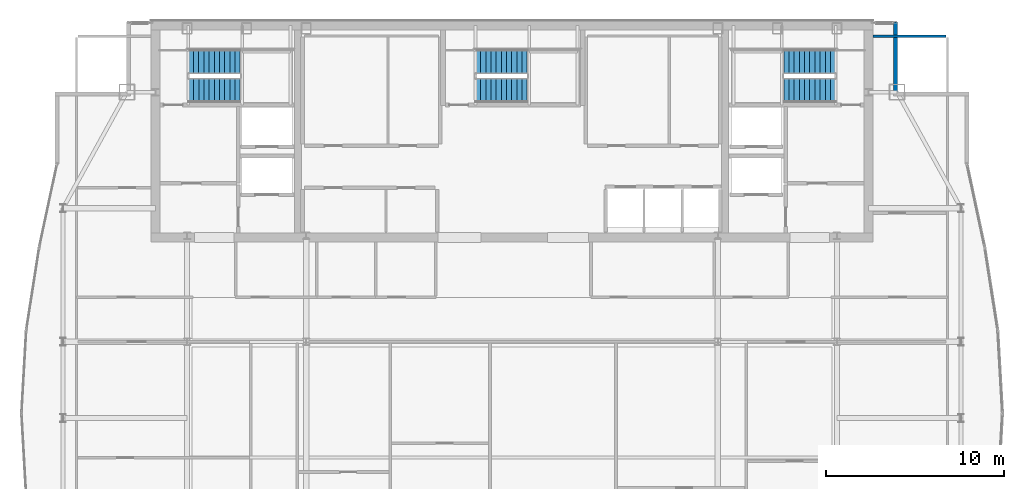
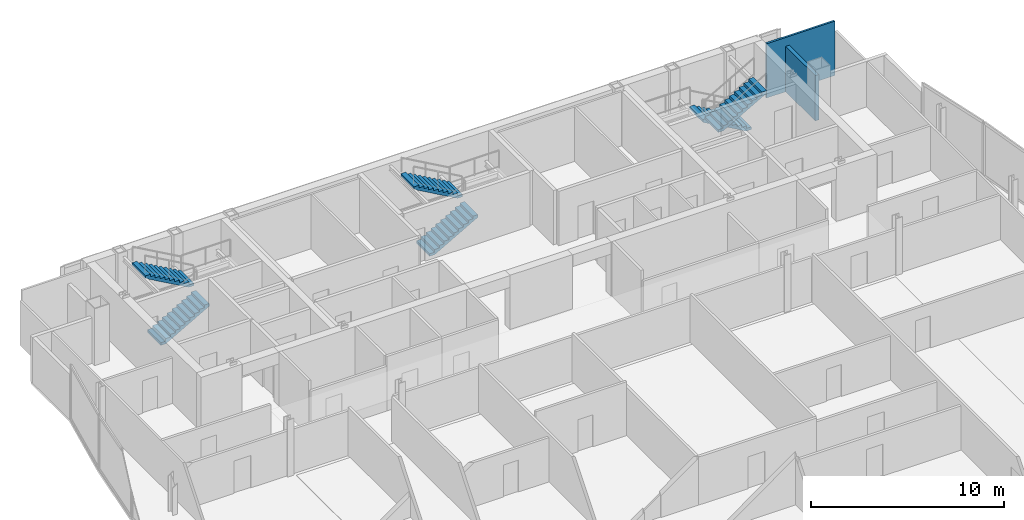
# One storey, part 27 of 29: 6 stair flights, 2 walls, 3 elements without a shape of their own.
"""IFC4 building model written with IfcOpenShell, lengths in metres."""

from ifc_helpers import new_model, si_unit, direction, frame, frame_2d, origin, place, context, subcontext, project, spatial, polyline, rectangle, outline, extrude, material, layer, layer_set, type_object, element, aggregate, save


model = new_model("IFC4")

# Units and contexts
model_context = context("Model", 3, precision=1e-05, world=origin(), true_north=direction((0.0, 1.0)))
body_context = subcontext(model_context, "Body", "Model", "MODEL_VIEW")
ifc_project = project(units=[si_unit("LENGTHUNIT", "METRE"), si_unit("AREAUNIT", "SQUARE_METRE"), si_unit("VOLUMEUNIT", "CUBIC_METRE"), si_unit("PLANEANGLEUNIT", "RADIAN"), si_unit("MASSUNIT", "GRAM", prefix="KILO")], contexts=[model_context])

# Site, building, storey
site_placement = place(None, origin())
site = spatial("IfcSite", under=ifc_project, at=site_placement, CompositionType="ELEMENT")
building_placement = place(site_placement, origin())
building = spatial("IfcBuilding", under=site, at=building_placement, Name="Khoronbel Lancet Exchange", CompositionType="ELEMENT")
storey_placement = place(building_placement, frame((0.0, 0.0, 329.0)))
storey = spatial("IfcBuildingStorey", under=building, at=storey_placement, Name="L85", CompositionType="ELEMENT", Elevation=329.0)

# Walls
ifc_material_1 = material(Name="Precast concrete C40/50", Category="concrete")
ifc_layer_1 = layer(ifc_material_1, 0.25, Name="Precast concrete C40/50")
ifc_layer_set_1 = layer_set([ifc_layer_1], Name="Precast concrete C40/50")
wall_type_1 = type_object("IfcWallType", Name="WL-EXT250", PredefinedType="SOLIDWALL", material=ifc_layer_set_1)
wall_1_placement = place(storey_placement, frame((57.9599609375, 53.6298828125, 0.0), z_axis=(0.0, 0.0, 1.0), x_axis=(0.0, -1.0, 0.0)))
element("IfcWall", 1, at=wall_1_placement, inside=storey, type_object=wall_type_1, Name="Level L85 notched-corner limestone pier 14", PredefinedType="SOLIDWALL", context=body_context, shape_type="SweptSolid", body=[
    extrude(rectangle(XDim=3.909912109375, YDim=0.219970703125, at=frame_2d((1.955078125, 0.0))), origin(), (0.0, 0.0, 1.0), 2.8798828125),
])
ifc_material_2 = material(Name="Acoustic Metal-Stud & Mineral-Wool Gypsum Partition 120 mm", Category="gypsum")
ifc_layer_2 = layer(ifc_material_2, 0.1201171875, Name="Acoustic Metal-Stud & Mineral-Wool Gypsum Partition 120 mm")
ifc_layer_set_2 = layer_set([ifc_layer_2], Name="Acoustic Metal-Stud & Mineral-Wool Gypsum Partition 120 mm")
wall_type_2 = type_object("IfcWallType", Name="WL-PRT120", PredefinedType="PARTITIONING", material=ifc_layer_set_2)
wall_2_placement = place(storey_placement, frame((56.699951171875, 52.840087890625, 0.0), z_axis=(0.0, 0.0, 1.0), x_axis=(1.0, 0.0, 0.0)))
element("IfcWall", 2, at=wall_2_placement, inside=storey, type_object=wall_type_2, Name="Level L85 interior partition PW-LIN-NE", PredefinedType="PARTITIONING", context=body_context, shape_type="SweptSolid", body=[
    extrude(rectangle(XDim=4.10498046875, YDim=0.1201171875, at=frame_2d((2.052490234375, 0.0))), origin(), (0.0, 0.0, 1.0), 3.43994140625),
])

# Stair, stair flights
ifc_material_3 = material(Name="Concrete C40/50", Category="concrete")
stair_type = type_object("IfcStairType", Name="STR-CORE150", PredefinedType="HALF_TURN_STAIR", material=ifc_material_3)
stair_1_placement = place(storey_placement, origin())
stair_1 = element("IfcStair", 3, at=stair_1_placement, inside=storey, type_object=stair_type, Name="L85 Protected Exit Stair ST1", PredefinedType="HALF_TURN_STAIR")
stair_flight_type = type_object("IfcStairFlightType", Name="STF-150", PredefinedType="STRAIGHT", material=ifc_material_3)
stair_flight_1_placement = place(storey_placement, frame((18.300048828125, 49.81005859375, 0.0), z_axis=(0.0, 0.0, 1.0), x_axis=(1.0, 0.0, 0.0)))
stair_flight_1 = element("IfcStairFlight", 4, at=stair_flight_1_placement, type_object=stair_flight_type, Name="ST1 flight 1", NumberOfRisers=11, NumberOfTreads=10, PredefinedType="STRAIGHT", RiserHeight=0.163636364, TreadLength=0.29, context=body_context, shape_type="SweptSolid", body=[
    extrude(outline(polyline([(0.0, 0.0), (0.0, 0.16357421875), (0.2900390625, 0.16357421875), (0.2900390625, 0.327392578125), (0.580078125, 0.327392578125), (0.580078125, 0.490966796875), (0.8701171875, 0.490966796875), (0.8701171875, 0.654541015625), (1.159912109375, 0.654541015625), (1.159912109375, 0.818115234375), (1.449951171875, 0.818115234375), (1.449951171875, 0.98193359375), (1.739990234375, 0.98193359375), (1.739990234375, 1.1455078125), (2.030029296875, 1.1455078125), (2.030029296875, 1.30908203125), (2.320068359375, 1.30908203125), (2.320068359375, 1.47265625), (2.610107421875, 1.47265625), (2.610107421875, 1.636474609375), (2.89990234375, 1.636474609375), (2.89990234375, 1.800048828125), (2.89990234375, 1.46435546875), (0.304931640625, 0.0), (0.0, 0.0)])), frame((0.0, 0.68994140625, 0.0), z_axis=(0.0, -1.0, 0.0), x_axis=(1.0, 0.0, 0.0)), (0.0, 0.0, 1.0), 1.3798828125),
])
stair_flight_2_placement = place(storey_placement, frame((21.199951171875, 51.409912109375, 1.800048828125), z_axis=(0.0, 0.0, 1.0), x_axis=(-1.0, 0.0, 0.0)))
stair_flight_2 = element("IfcStairFlight", 5, at=stair_flight_2_placement, type_object=stair_flight_type, Name="ST1 flight 2", NumberOfRisers=11, NumberOfTreads=10, PredefinedType="STRAIGHT", RiserHeight=0.163636364, TreadLength=0.29, context=body_context, shape_type="SweptSolid", body=[
    extrude(outline(polyline([(0.0, 0.0), (0.0, 0.16357421875), (0.2900390625, 0.16357421875), (0.2900390625, 0.327392578125), (0.580078125, 0.327392578125), (0.580078125, 0.490966796875), (0.8701171875, 0.490966796875), (0.8701171875, 0.654541015625), (1.159912109375, 0.654541015625), (1.159912109375, 0.818115234375), (1.449951171875, 0.818115234375), (1.449951171875, 0.98193359375), (1.739990234375, 0.98193359375), (1.739990234375, 1.1455078125), (2.030029296875, 1.1455078125), (2.030029296875, 1.30908203125), (2.320068359375, 1.30908203125), (2.320068359375, 1.47265625), (2.610107421875, 1.47265625), (2.610107421875, 1.636474609375), (2.89990234375, 1.636474609375), (2.89990234375, 1.800048828125), (2.89990234375, 1.46435546875), (0.304931640625, 0.0), (0.0, 0.0)])), frame((0.0, 0.68994140625, 0.0), z_axis=(0.0, -1.0, 0.0), x_axis=(1.0, 0.0, 0.0)), (0.0, 0.0, 1.0), 1.3798828125),
])
aggregate(stair_1, [stair_flight_1, stair_flight_2])

stair_2_placement = place(storey_placement, origin())
stair_2 = element("IfcStair", 6, at=stair_2_placement, inside=storey, type_object=stair_type, Name="L85 Protected Exit Stair ST2", PredefinedType="HALF_TURN_STAIR")
stair_flight_3_placement = place(storey_placement, frame((54.60009765625, 51.409912109375, 0.0), z_axis=(0.0, 0.0, 1.0), x_axis=(-1.0, 0.0, 0.0)))
stair_flight_3 = element("IfcStairFlight", 7, at=stair_flight_3_placement, type_object=stair_flight_type, Name="ST2 flight 1", NumberOfRisers=11, NumberOfTreads=10, PredefinedType="STRAIGHT", RiserHeight=0.163636364, TreadLength=0.29, context=body_context, shape_type="SweptSolid", body=[
    extrude(outline(polyline([(0.0, 0.0), (0.0, 0.16357421875), (0.2900390625, 0.16357421875), (0.2900390625, 0.327392578125), (0.580078125, 0.327392578125), (0.580078125, 0.490966796875), (0.8701171875, 0.490966796875), (0.8701171875, 0.654541015625), (1.159912109375, 0.654541015625), (1.159912109375, 0.818115234375), (1.449951171875, 0.818115234375), (1.449951171875, 0.98193359375), (1.739990234375, 0.98193359375), (1.739990234375, 1.1455078125), (2.030029296875, 1.1455078125), (2.030029296875, 1.30908203125), (2.320068359375, 1.30908203125), (2.320068359375, 1.47265625), (2.610107421875, 1.47265625), (2.610107421875, 1.636474609375), (2.89990234375, 1.636474609375), (2.89990234375, 1.800048828125), (2.89990234375, 1.46435546875), (0.304931640625, 0.0), (0.0, 0.0)])), frame((0.0, 0.68994140625, 0.0), z_axis=(0.0, -1.0, 0.0), x_axis=(1.0, 0.0, 0.0)), (0.0, 0.0, 1.0), 1.3798828125),
])
stair_flight_4_placement = place(storey_placement, frame((51.699951171875, 49.81005859375, 1.800048828125), z_axis=(0.0, 0.0, 1.0), x_axis=(1.0, 0.0, 0.0)))
stair_flight_4 = element("IfcStairFlight", 8, at=stair_flight_4_placement, type_object=stair_flight_type, Name="ST2 flight 2", NumberOfRisers=11, NumberOfTreads=10, PredefinedType="STRAIGHT", RiserHeight=0.163636364, TreadLength=0.29, context=body_context, shape_type="SweptSolid", body=[
    extrude(outline(polyline([(0.0, 0.0), (0.0, 0.16357421875), (0.2900390625, 0.16357421875), (0.2900390625, 0.327392578125), (0.580078125, 0.327392578125), (0.580078125, 0.490966796875), (0.8701171875, 0.490966796875), (0.8701171875, 0.654541015625), (1.159912109375, 0.654541015625), (1.159912109375, 0.818115234375), (1.449951171875, 0.818115234375), (1.449951171875, 0.98193359375), (1.739990234375, 0.98193359375), (1.739990234375, 1.1455078125), (2.030029296875, 1.1455078125), (2.030029296875, 1.30908203125), (2.320068359375, 1.30908203125), (2.320068359375, 1.47265625), (2.610107421875, 1.47265625), (2.610107421875, 1.636474609375), (2.89990234375, 1.636474609375), (2.89990234375, 1.800048828125), (2.89990234375, 1.46435546875), (0.304931640625, 0.0), (0.0, 0.0)])), frame((0.0, 0.68994140625, 0.0), z_axis=(0.0, -1.0, 0.0), x_axis=(1.0, 0.0, 0.0)), (0.0, 0.0, 1.0), 1.3798828125),
])
aggregate(stair_2, [stair_flight_3, stair_flight_4])

stair_3_placement = place(storey_placement, origin())
stair_3 = element("IfcStair", 9, at=stair_3_placement, inside=storey, type_object=stair_type, Name="L85 Protected Exit Stair ST3", PredefinedType="HALF_TURN_STAIR")
stair_flight_5_placement = place(storey_placement, frame((34.39990234375, 49.81005859375, 0.0), z_axis=(0.0, 0.0, 1.0), x_axis=(1.0, 0.0, 0.0)))
stair_flight_5 = element("IfcStairFlight", 10, at=stair_flight_5_placement, type_object=stair_flight_type, Name="ST3 flight 1", NumberOfRisers=11, NumberOfTreads=10, PredefinedType="STRAIGHT", RiserHeight=0.163636364, TreadLength=0.29, context=body_context, shape_type="SweptSolid", body=[
    extrude(outline(polyline([(0.0, 0.0), (0.0, 0.16357421875), (0.2900390625, 0.16357421875), (0.2900390625, 0.327392578125), (0.580078125, 0.327392578125), (0.580078125, 0.490966796875), (0.8701171875, 0.490966796875), (0.8701171875, 0.654541015625), (1.159912109375, 0.654541015625), (1.159912109375, 0.818115234375), (1.449951171875, 0.818115234375), (1.449951171875, 0.98193359375), (1.739990234375, 0.98193359375), (1.739990234375, 1.1455078125), (2.030029296875, 1.1455078125), (2.030029296875, 1.30908203125), (2.320068359375, 1.30908203125), (2.320068359375, 1.47265625), (2.610107421875, 1.47265625), (2.610107421875, 1.636474609375), (2.89990234375, 1.636474609375), (2.89990234375, 1.800048828125), (2.89990234375, 1.46435546875), (0.304931640625, 0.0), (0.0, 0.0)])), frame((0.0, 0.68994140625, 0.0), z_axis=(0.0, -1.0, 0.0), x_axis=(1.0, 0.0, 0.0)), (0.0, 0.0, 1.0), 1.3798828125),
])
stair_flight_6_placement = place(storey_placement, frame((37.300048828125, 51.409912109375, 1.800048828125), z_axis=(0.0, 0.0, 1.0), x_axis=(-1.0, 0.0, 0.0)))
stair_flight_6 = element("IfcStairFlight", 11, at=stair_flight_6_placement, type_object=stair_flight_type, Name="ST3 flight 2", NumberOfRisers=11, NumberOfTreads=10, PredefinedType="STRAIGHT", RiserHeight=0.163636364, TreadLength=0.29, context=body_context, shape_type="SweptSolid", body=[
    extrude(outline(polyline([(0.0, 0.0), (0.0, 0.16357421875), (0.2900390625, 0.16357421875), (0.2900390625, 0.327392578125), (0.580078125, 0.327392578125), (0.580078125, 0.490966796875), (0.8701171875, 0.490966796875), (0.8701171875, 0.654541015625), (1.159912109375, 0.654541015625), (1.159912109375, 0.818115234375), (1.449951171875, 0.818115234375), (1.449951171875, 0.98193359375), (1.739990234375, 0.98193359375), (1.739990234375, 1.1455078125), (2.030029296875, 1.1455078125), (2.030029296875, 1.30908203125), (2.320068359375, 1.30908203125), (2.320068359375, 1.47265625), (2.610107421875, 1.47265625), (2.610107421875, 1.636474609375), (2.89990234375, 1.636474609375), (2.89990234375, 1.800048828125), (2.89990234375, 1.46435546875), (0.304931640625, 0.0), (0.0, 0.0)])), frame((0.0, 0.68994140625, 0.0), z_axis=(0.0, -1.0, 0.0), x_axis=(1.0, 0.0, 0.0)), (0.0, 0.0, 1.0), 1.3798828125),
])
aggregate(stair_3, [stair_flight_5, stair_flight_6])

save(model, "model.ifc")
